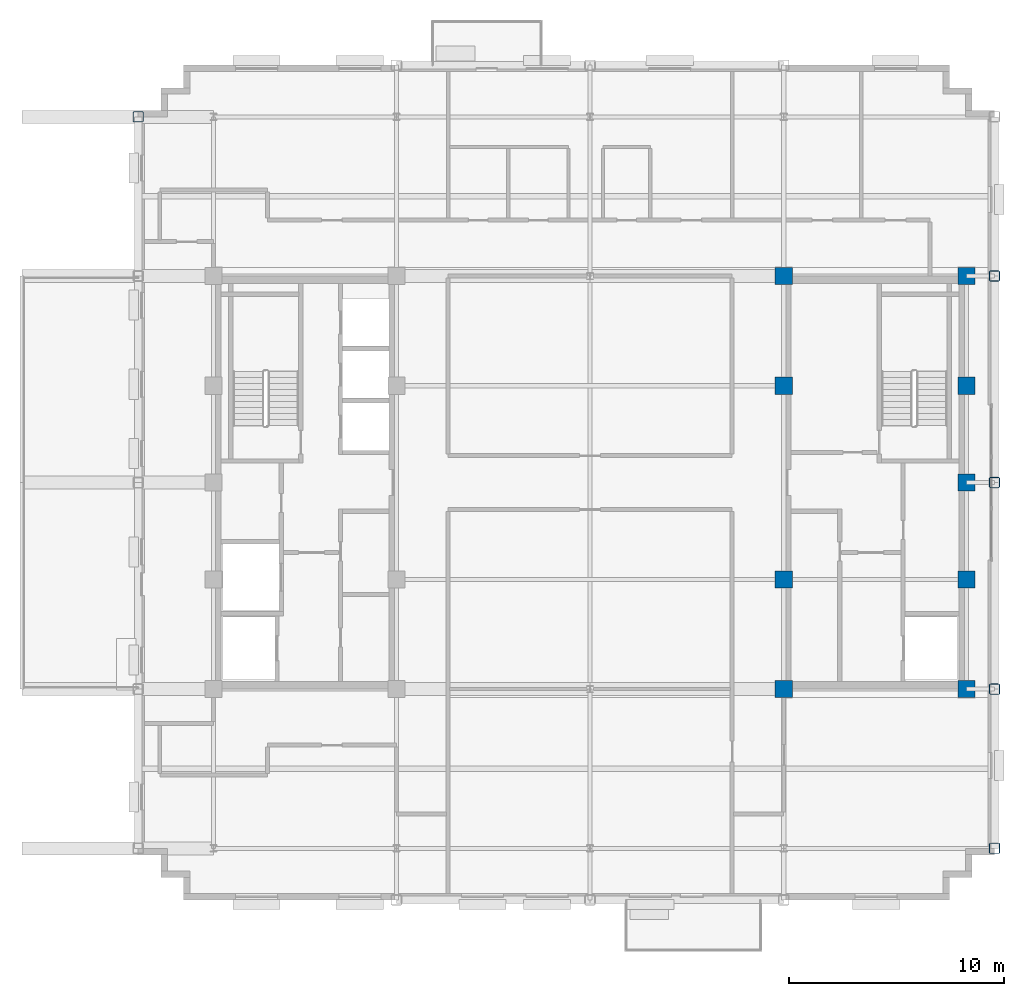
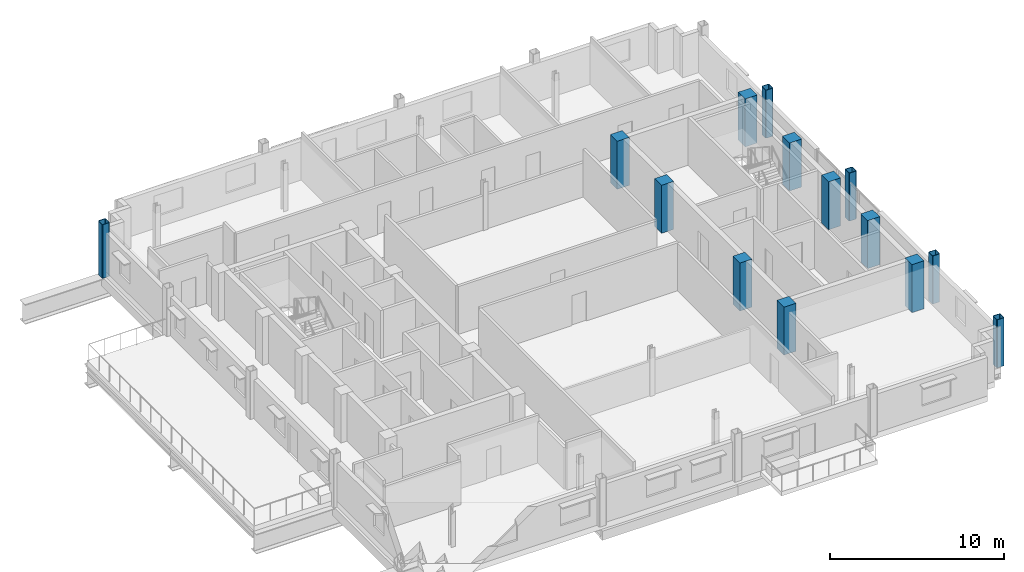
# One storey, part 2 of 14: 14 columns.
"""IFC4 building model written with IfcOpenShell, lengths in metres."""

from ifc_helpers import new_model, si_unit, direction, frame, origin, origin_2d, place, context, subcontext, project, spatial, rectangle, hollow_rectangle, extrude, material, material_profile, profile_set, type_object, element, save


model = new_model("IFC4")

# Units and contexts
model_context = context("Model", 3, precision=1e-05, world=origin(), true_north=direction((0.0, 1.0)))
body_context = subcontext(model_context, "Body", "Model", "MODEL_VIEW")
ifc_project = project(units=[si_unit("LENGTHUNIT", "METRE"), si_unit("AREAUNIT", "SQUARE_METRE"), si_unit("VOLUMEUNIT", "CUBIC_METRE"), si_unit("PLANEANGLEUNIT", "RADIAN"), si_unit("MASSUNIT", "GRAM", prefix="KILO")], contexts=[model_context])

# Site, building, storey
site_placement = place(None, origin())
site = spatial("IfcSite", under=ifc_project, at=site_placement, CompositionType="ELEMENT")
building_placement = place(site_placement, origin())
building = spatial("IfcBuilding", under=site, at=building_placement, Name="Nuvemarco Arch Tower", CompositionType="ELEMENT")
storey_placement = place(building_placement, frame((0.0, 0.0, 245.64990234375)))
storey = spatial("IfcBuildingStorey", under=building, at=storey_placement, Name="L65", CompositionType="ELEMENT", Elevation=245.64990234375)

# Columns
ifc_material_1 = material(Name="Concrete C50/60", Category="concrete")
ifc_material_profile_1 = material_profile(ifc_material_1, rectangle(XDim=0.800048828125, YDim=0.800048828125, at=origin_2d()), Name="RC-COL-800x800")
ifc_profile_set_1 = profile_set([ifc_material_profile_1], Name="Concrete C50/60")
column_type_1 = type_object("IfcColumnType", Name="COL-CORE-800", PredefinedType="COLUMN", material=ifc_profile_set_1)
for number, where, z_axis, x_axis, name in (
    (1, (9.0, -9.60009765625, 0.0), (0.0, 0.0, 1.0), (1.0, 0.0, 0.0), "L65 column CC_+9.0_-9.6"),
    (2, (9.0, -4.5, 0.0), (0.0, 0.0, 1.0), (1.0, 0.0, 0.0), "L65 column CC_+9.0_-4.5"),
    (3, (9.0, 4.5, 0.0), (0.0, 0.0, 1.0), (1.0, 0.0, 0.0), "L65 column CC_+9.0_+4.5"),
    (4, (9.0, 9.60009765625, 0.0), (0.0, 0.0, 1.0), (1.0, 0.0, 0.0), "L65 column CC_+9.0_+9.6"),
    (5, (17.5, -9.60009765625, 0.0), (0.0, 0.0, 1.0), (1.0, 0.0, 0.0), "L65 column CC_+17.5_-9.6"),
    (6, (17.5, -4.5, 0.0), (0.0, 0.0, 1.0), (1.0, 0.0, 0.0), "L65 column CC_+17.5_-4.5"),
    (7, (17.5, 4.5, 0.0), (0.0, 0.0, 1.0), (1.0, 0.0, 0.0), "L65 column CC_+17.5_+4.5"),
    (8, (17.5, 9.60009765625, 0.0), (0.0, 0.0, 1.0), (1.0, 0.0, 0.0), "L65 column CC_+17.5_+9.6"),
    (9, (17.5, 0.0, 0.0), (0.0, 0.0, 1.0), (1.0, 0.0, 0.0), "L65 column CC_+17.5_+0.0"),
):
    element("IfcColumn", number, at=place(storey_placement, frame(where, z_axis=z_axis, x_axis=x_axis)), inside=storey, type_object=column_type_1, Name=name, PredefinedType="COLUMN", context=body_context, shape_type="SweptSolid", body=[
        extrude(rectangle(XDim=0.800048828125, YDim=0.800048828125, at=origin_2d()), origin(), (0.0, 0.0, 1.0), 3.3701171875),
    ])
ifc_material_2 = material(Name="Steel S355", Category="steel")
ifc_material_profile_2 = material_profile(ifc_material_2, hollow_rectangle(XDim=0.5, YDim=0.5, WallThickness=0.031982421875, InnerFilletRadius=0.031982421875, OuterFilletRadius=0.06396484375, at=origin_2d()), Name="SHS500x500x32")
ifc_profile_set_2 = profile_set([ifc_material_profile_2], Name="Steel S355")
column_type_2 = type_object("IfcColumnType", Name="COL-EXO-500", PredefinedType="COLUMN", material=ifc_profile_set_2)
column_placement = place(storey_placement, frame((-21.0, 17.0, -0.39990234375), z_axis=(0.0, 0.0, 1.0), x_axis=(1.0, 0.0, 0.0)))
element("IfcColumn", 10, at=column_placement, inside=storey, type_object=column_type_2, Name="L65 column CX_-21.0_+17.0", PredefinedType="COLUMN", context=body_context, shape_type="SweptSolid", body=[
    extrude(hollow_rectangle(XDim=0.5, YDim=0.5, WallThickness=0.031982421875, InnerFilletRadius=0.031982421875, OuterFilletRadius=0.06396484375, at=origin_2d()), origin(), (0.0, 0.0, 1.0), 3.77001953125),
])
for number, where, z_axis, x_axis, name in (
    (11, (18.800048828125, -17.0, 0.0), (0.0, 0.0, 1.0), (1.0, 0.0, 0.0), "L65 column CX_+18.8_-17.0"),
    (12, (18.800048828125, -9.60009765625, 0.0), (0.0, 0.0, 1.0), (1.0, 0.0, 0.0), "L65 column CX_+18.8_-9.6"),
    (13, (18.800048828125, 0.0, 0.0), (0.0, 0.0, 1.0), (1.0, 0.0, 0.0), "L65 column CX_+18.8_+0.0"),
    (14, (18.800048828125, 9.60009765625, 0.0), (0.0, 0.0, 1.0), (1.0, 0.0, 0.0), "L65 column CX_+18.8_+9.6"),
):
    element("IfcColumn", number, at=place(storey_placement, frame(where, z_axis=z_axis, x_axis=x_axis)), inside=storey, type_object=column_type_2, Name=name, PredefinedType="COLUMN", context=body_context, shape_type="SweptSolid", body=[
        extrude(hollow_rectangle(XDim=0.5, YDim=0.5, WallThickness=0.031982421875, InnerFilletRadius=0.031982421875, OuterFilletRadius=0.06396484375, at=origin_2d()), origin(), (0.0, 0.0, 1.0), 3.3701171875),
    ])

save(model, "model.ifc")
